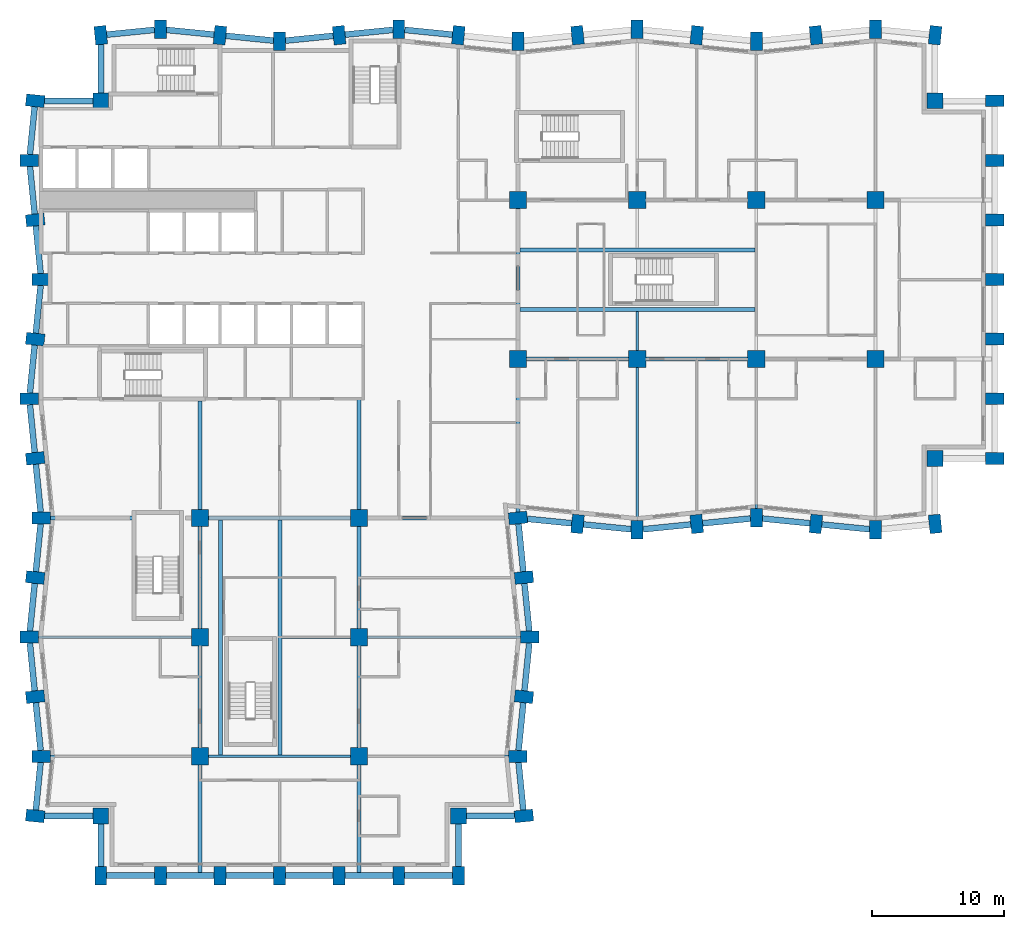
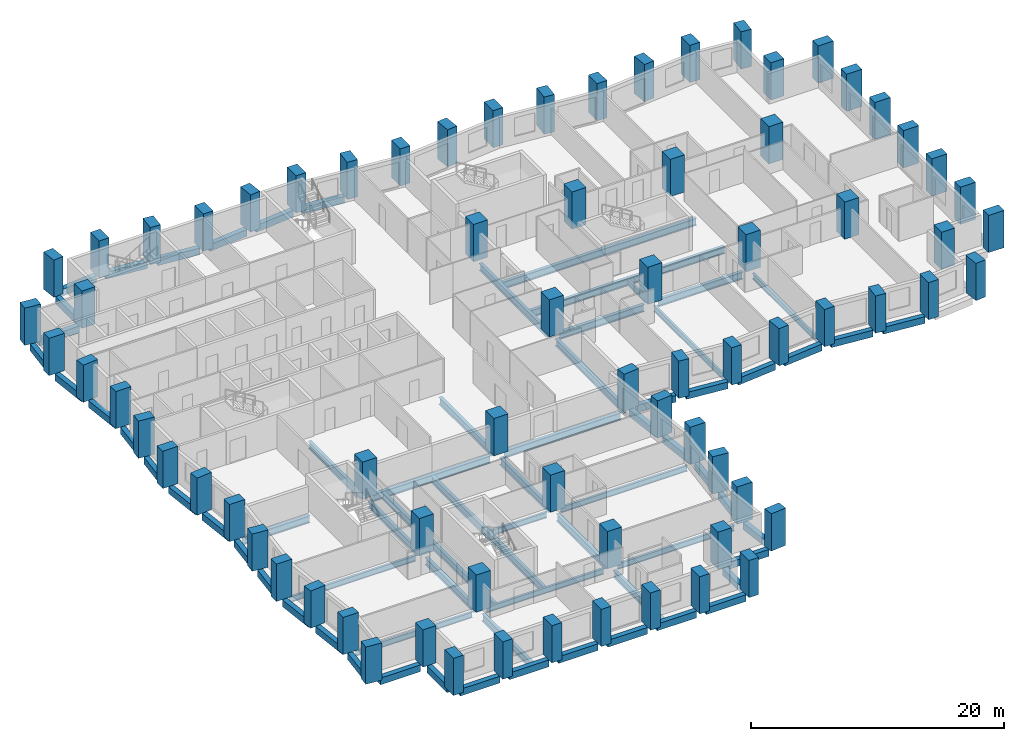
# One storey, part 1 of 13: 74 columns, 69 beams.
"""IFC4 building model written with IfcOpenShell, lengths in metres."""

from ifc_helpers import new_model, si_unit, direction, frame, origin, origin_2d, place, context, subcontext, project, spatial, rectangle, i_section, extrude, material, material_profile, profile_set, type_object, element, save


model = new_model("IFC4")

# Units and contexts
model_context = context("Model", 3, precision=1e-05, world=origin(), true_north=direction((0.0, 1.0)))
body_context = subcontext(model_context, "Body", "Model", "MODEL_VIEW")
ifc_project = project(units=[si_unit("LENGTHUNIT", "METRE"), si_unit("AREAUNIT", "SQUARE_METRE"), si_unit("VOLUMEUNIT", "CUBIC_METRE"), si_unit("PLANEANGLEUNIT", "RADIAN"), si_unit("MASSUNIT", "GRAM", prefix="KILO")], contexts=[model_context])

# Site, building, storey
site_placement = place(None, origin())
site = spatial("IfcSite", under=ifc_project, at=site_placement, CompositionType="ELEMENT")
building_placement = place(site_placement, origin())
building = spatial("IfcBuilding", under=site, at=building_placement, Name="Brondeck Convention Tower", CompositionType="ELEMENT")
storey_placement = place(building_placement, frame((0.0, 0.0, 48.300048828125)))
storey = spatial("IfcBuildingStorey", under=building, at=storey_placement, Name="L09", CompositionType="ELEMENT", Elevation=48.300048828125)

# Columns
ifc_material_1 = material(Name="Concrete C80/95", Category="concrete")
ifc_material_profile_1 = material_profile(ifc_material_1, rectangle(XDim=1.199951171875, YDim=1.199951171875, at=origin_2d()), Name="Corner column 1200x1200 Concrete C80/95")
ifc_profile_set_1 = profile_set([ifc_material_profile_1], Name="Concrete C80/95")
column_type_1 = type_object("IfcColumnType", Name="Corner column 1200x1200 Concrete C80/95", PredefinedType="COLUMN", material=ifc_profile_set_1)
for number, where, z_axis, x_axis, name in (
    (1, (4.5, 4.5, 0.0), (0.0, 0.0, 1.0), (1.0, 0.0, 0.0), "STR-COL-L09-NC-SWB0"),
    (2, (31.5, 4.5, 0.0), (0.0, 0.0, 1.0), (1.0, 0.0, 0.0), "STR-COL-L09-NC-SEB0"),
    (3, (67.5, 31.5, 0.0), (0.0, 0.0, 1.0), (1.0, 0.0, 0.0), "STR-COL-L09-NC-SEA72"),
    (4, (67.5, 58.5, 0.0), (0.0, 0.0, 1.0), (1.0, 0.0, 0.0), "STR-COL-L09-NC-NEA72"),
    (5, (4.5, 58.5, 0.0), (0.0, 0.0, 1.0), (1.0, 0.0, 0.0), "STR-COL-L09-NC-NW"),
):
    element("IfcColumn", number, at=place(storey_placement, frame(where, z_axis=z_axis, x_axis=x_axis)), inside=storey, type_object=column_type_1, Name=name, PredefinedType="COLUMN", context=body_context, shape_type="SweptSolid", body=[
        extrude(rectangle(XDim=1.199951171875, YDim=1.199951171875, at=origin_2d()), origin(), (0.0, 0.0, 1.0), 3.599853515625),
    ])
ifc_material_profile_2 = material_profile(ifc_material_1, rectangle(XDim=1.300048828125, YDim=1.300048828125, at=origin_2d()), Name="Interior column 1300x1300 Concrete C80/95")
ifc_profile_set_2 = profile_set([ifc_material_profile_2], Name="Concrete C80/95")
column_type_2 = type_object("IfcColumnType", Name="Interior column 1300x1300 Concrete C80/95", PredefinedType="COLUMN", material=ifc_profile_set_2)
for number, where, z_axis, x_axis, name in (
    (6, (12.0, 9.0, 0.0), (0.0, 0.0, 1.0), (1.0, 0.0, 0.0), "STR-COL-L09-IC-01"),
    (7, (12.0, 18.0, 0.0), (0.0, 0.0, 1.0), (1.0, 0.0, 0.0), "STR-COL-L09-IC-02"),
    (8, (12.0, 27.0, 0.0), (0.0, 0.0, 1.0), (1.0, 0.0, 0.0), "STR-COL-L09-IC-03"),
    (9, (24.0, 9.0, 0.0), (0.0, 0.0, 1.0), (1.0, 0.0, 0.0), "STR-COL-L09-IC-04"),
    (10, (24.0, 18.0, 0.0), (0.0, 0.0, 1.0), (1.0, 0.0, 0.0), "STR-COL-L09-IC-05"),
    (11, (24.0, 27.0, 0.0), (0.0, 0.0, 1.0), (1.0, 0.0, 0.0), "STR-COL-L09-IC-06"),
    (12, (36.0, 39.0, 0.0), (0.0, 0.0, 1.0), (1.0, 0.0, 0.0), "STR-COL-L09-IC-07"),
    (13, (36.0, 51.0, 0.0), (0.0, 0.0, 1.0), (1.0, 0.0, 0.0), "STR-COL-L09-IC-08"),
    (14, (45.0, 39.0, 0.0), (0.0, 0.0, 1.0), (1.0, 0.0, 0.0), "STR-COL-L09-IC-09"),
    (15, (45.0, 51.0, 0.0), (0.0, 0.0, 1.0), (1.0, 0.0, 0.0), "STR-COL-L09-IC-10"),
    (16, (54.0, 39.0, 0.0), (0.0, 0.0, 1.0), (1.0, 0.0, 0.0), "STR-COL-L09-IC-11"),
    (17, (54.0, 51.0, 0.0), (0.0, 0.0, 1.0), (1.0, 0.0, 0.0), "STR-COL-L09-IC-12"),
    (18, (63.0, 39.0, 0.0), (0.0, 0.0, 1.0), (1.0, 0.0, 0.0), "STR-COL-L09-IC-13"),
    (19, (63.0, 51.0, 0.0), (0.0, 0.0, 1.0), (1.0, 0.0, 0.0), "STR-COL-L09-IC-14"),
):
    element("IfcColumn", number, at=place(storey_placement, frame(where, z_axis=z_axis, x_axis=x_axis)), inside=storey, type_object=column_type_2, Name=name, PredefinedType="COLUMN", context=body_context, shape_type="SweptSolid", body=[
        extrude(rectangle(XDim=1.300048828125, YDim=1.300048828125, at=origin_2d()), origin(), (0.0, 0.0, 1.0), 3.599853515625),
    ])
ifc_material_profile_3 = material_profile(ifc_material_1, rectangle(XDim=0.89990234375, YDim=1.39990234375, at=origin_2d()), Name="Perimeter pier 900x1400 Concrete C80/95")
ifc_profile_set_3 = profile_set([ifc_material_profile_3], Name="Concrete C80/95")
column_type_3 = type_object("IfcColumnType", Name="Perimeter pier 900x1400 Concrete C80/95", PredefinedType="COLUMN", material=ifc_profile_set_3)
for number, where, z_axis, x_axis, name in (
    (20, (4.5, 0.0, 0.0), (0.0, 0.0, 1.0), (1.0, 0.0, 0.0), "STR-COL-L09-PC-B-S0-01"),
    (21, (9.0, 0.0, 0.0), (0.0, 0.0, 1.0), (1.0, 0.0, 0.0), "STR-COL-L09-PC-B-S0-02"),
    (22, (13.5, 0.0, 0.0), (0.0, 0.0, 1.0), (1.0, 0.0, 0.0), "STR-COL-L09-PC-B-S0-03"),
    (23, (18.0, 0.0, 0.0), (0.0, 0.0, 1.0), (1.0, 0.0, 0.0), "STR-COL-L09-PC-B-S0-04"),
    (24, (22.5, 0.0, 0.0), (0.0, 0.0, 1.0), (1.0, 0.0, 0.0), "STR-COL-L09-PC-B-S0-05"),
    (25, (27.0, 0.0, 0.0), (0.0, 0.0, 1.0), (1.0, 0.0, 0.0), "STR-COL-L09-PC-B-S0-06"),
    (26, (31.5, 0.0, 0.0), (0.0, 0.0, 1.0), (1.0, 0.0, 0.0), "STR-COL-L09-PC-B-S0-07"),
    (27, (36.449951171875, 4.5, 0.0), (0.0, 0.0, 1.0), (-0.0995038382, 0.995037178292, 0.0), "STR-COL-L09-PC-B-E-05"),
    (28, (36.0, 9.0, 0.0), (0.0, 0.0, 1.0), (0.0, 1.0, 0.0), "STR-COL-L09-PC-B-E-04"),
    (29, (36.449951171875, 13.5, 0.0), (0.0, 0.0, 1.0), (0.0995038382, 0.995037178292, 0.0), "STR-COL-L09-PC-B-E-03"),
    (30, (36.89990234375, 18.0, 0.0), (0.0, 0.0, 1.0), (0.0, 1.0, 0.0), "STR-COL-L09-PC-B-E-02"),
    (31, (36.449951171875, 22.5, 0.0), (0.0, 0.0, 1.0), (-0.0995038382, 0.995037178292, 0.0), "STR-COL-L09-PC-B-E-01"),
    (32, (36.0, 27.0, 0.0), (0.0, 0.0, 1.0), (-0.0995038382, 0.995037178292, 0.0), "STR-COL-L09-PC-B-E-00"),
    (33, (40.5, 26.550048828125, 0.0), (0.0, 0.0, 1.0), (0.995037178292, -0.0995038382, 0.0), "STR-COL-L09-PC-A-S-01"),
    (34, (45.0, 26.10009765625, 0.0), (0.0, 0.0, 1.0), (1.0, 0.0, 0.0), "STR-COL-L09-PC-A-S-02"),
    (35, (49.5, 26.550048828125, 0.0), (0.0, 0.0, 1.0), (0.995037178292, 0.0995038382, 0.0), "STR-COL-L09-PC-A-S-03"),
    (36, (54.0, 27.0, 0.0), (0.0, 0.0, 1.0), (1.0, 0.0, 0.0), "STR-COL-L09-PC-A-S-04"),
    (37, (58.5, 26.550048828125, 0.0), (0.0, 0.0, 1.0), (0.995037178292, -0.0995038382, 0.0), "STR-COL-L09-PC-A-S-05"),
    (38, (63.0, 26.10009765625, 0.0), (0.0, 0.0, 1.0), (1.0, 0.0, 0.0), "STR-COL-L09-PC-A-S-06"),
    (39, (67.5, 26.550048828125, 0.0), (0.0, 0.0, 1.0), (0.995037178292, 0.0995038382, 0.0), "STR-COL-L09-PC-A-S-07"),
    (40, (72.0, 31.5, 0.0), (0.0, 0.0, 1.0), (0.0, 1.0, 0.0), "STR-COL-L09-PC-A-E72-01"),
    (41, (72.0, 36.0, 0.0), (0.0, 0.0, 1.0), (0.0, 1.0, 0.0), "STR-COL-L09-PC-A-E72-02"),
    (42, (72.0, 40.5, 0.0), (0.0, 0.0, 1.0), (0.0, 1.0, 0.0), "STR-COL-L09-PC-A-E72-03"),
    (43, (72.0, 45.0, 0.0), (0.0, 0.0, 1.0), (0.0, 1.0, 0.0), "STR-COL-L09-PC-A-E72-04"),
    (44, (72.0, 49.5, 0.0), (0.0, 0.0, 1.0), (0.0, 1.0, 0.0), "STR-COL-L09-PC-A-E72-05"),
    (45, (72.0, 54.0, 0.0), (0.0, 0.0, 1.0), (0.0, 1.0, 0.0), "STR-COL-L09-PC-A-E72-06"),
    (46, (72.0, 58.5, 0.0), (0.0, 0.0, 1.0), (0.0, 1.0, 0.0), "STR-COL-L09-PC-A-E72-07"),
    (47, (67.5, 63.449951171875, 0.0), (0.0, 0.0, 1.0), (-0.995037178292, 0.0995038382, 0.0), "STR-COL-L09-PC-A-N-15"),
    (48, (63.0, 63.89990234375, 0.0), (0.0, 0.0, 1.0), (-1.0, 0.0, 0.0), "STR-COL-L09-PC-A-N-14"),
    (49, (58.5, 63.449951171875, 0.0), (0.0, 0.0, 1.0), (-0.995037178292, -0.0995038382, 0.0), "STR-COL-L09-PC-A-N-13"),
    (50, (54.0, 63.0, 0.0), (0.0, 0.0, 1.0), (-1.0, 0.0, 0.0), "STR-COL-L09-PC-A-N-12"),
    (51, (49.5, 63.449951171875, 0.0), (0.0, 0.0, 1.0), (-0.995037178292, 0.0995038382, 0.0), "STR-COL-L09-PC-A-N-11"),
    (52, (45.0, 63.89990234375, 0.0), (0.0, 0.0, 1.0), (-1.0, 0.0, 0.0), "STR-COL-L09-PC-A-N-10"),
    (53, (40.5, 63.449951171875, 0.0), (0.0, 0.0, 1.0), (-0.995037178292, -0.0995038382, 0.0), "STR-COL-L09-PC-A-N-09"),
    (54, (36.0, 63.0, 0.0), (0.0, 0.0, 1.0), (-1.0, 0.0, 0.0), "STR-COL-L09-PC-A-N-08"),
    (55, (31.5, 63.449951171875, 0.0), (0.0, 0.0, 1.0), (-0.995037178292, 0.0995038382, 0.0), "STR-COL-L09-PC-A-N-07"),
    (56, (27.0, 63.89990234375, 0.0), (0.0, 0.0, 1.0), (-1.0, 0.0, 0.0), "STR-COL-L09-PC-A-N-06"),
    (57, (22.5, 63.449951171875, 0.0), (0.0, 0.0, 1.0), (-0.995037178292, -0.0995038382, 0.0), "STR-COL-L09-PC-A-N-05"),
    (58, (18.0, 63.0, 0.0), (0.0, 0.0, 1.0), (-1.0, 0.0, 0.0), "STR-COL-L09-PC-A-N-04"),
    (59, (13.5, 63.449951171875, 0.0), (0.0, 0.0, 1.0), (-0.995037178292, 0.0995038382, 0.0), "STR-COL-L09-PC-A-N-03"),
    (60, (9.0, 63.89990234375, 0.0), (0.0, 0.0, 1.0), (-1.0, 0.0, 0.0), "STR-COL-L09-PC-A-N-02"),
    (61, (4.5, 63.449951171875, 0.0), (0.0, 0.0, 1.0), (-0.995037178292, -0.0995038382, 0.0), "STR-COL-L09-PC-A-N-01"),
    (62, (-0.449951171875, 58.5, 0.0), (0.0, 0.0, 1.0), (-0.0995038382, -0.995037178292, 0.0), "STR-COL-L09-PC-B-W-01"),
    (63, (-0.89990234375, 54.0, 0.0), (0.0, 0.0, 1.0), (0.0, -1.0, 0.0), "STR-COL-L09-PC-B-W-02"),
    (64, (-0.449951171875, 49.5, 0.0), (0.0, 0.0, 1.0), (0.0995038382, -0.995037178292, 0.0), "STR-COL-L09-PC-B-W-03"),
    (65, (0.0, 45.0, 0.0), (0.0, 0.0, 1.0), (0.0, -1.0, 0.0), "STR-COL-L09-PC-B-W-04"),
    (66, (-0.449951171875, 40.5, 0.0), (0.0, 0.0, 1.0), (-0.0995038382, -0.995037178292, 0.0), "STR-COL-L09-PC-B-W-05"),
    (67, (-0.89990234375, 36.0, 0.0), (0.0, 0.0, 1.0), (0.0, -1.0, 0.0), "STR-COL-L09-PC-B-W-06"),
    (68, (-0.449951171875, 31.5, 0.0), (0.0, 0.0, 1.0), (0.0995038382, -0.995037178292, 0.0), "STR-COL-L09-PC-B-W-07"),
    (69, (0.0, 27.0, 0.0), (0.0, 0.0, 1.0), (0.0, -1.0, 0.0), "STR-COL-L09-PC-B-W-08"),
    (70, (-0.449951171875, 22.5, 0.0), (0.0, 0.0, 1.0), (-0.0995038382, -0.995037178292, 0.0), "STR-COL-L09-PC-B-W-09"),
    (71, (-0.89990234375, 18.0, 0.0), (0.0, 0.0, 1.0), (0.0, -1.0, 0.0), "STR-COL-L09-PC-B-W-10"),
    (72, (-0.449951171875, 13.5, 0.0), (0.0, 0.0, 1.0), (0.0995038382, -0.995037178292, 0.0), "STR-COL-L09-PC-B-W-11"),
    (73, (0.0, 9.0, 0.0), (0.0, 0.0, 1.0), (0.0, -1.0, 0.0), "STR-COL-L09-PC-B-W-12"),
    (74, (-0.449951171875, 4.5, 0.0), (0.0, 0.0, 1.0), (-0.0995038382, -0.995037178292, 0.0), "STR-COL-L09-PC-B-W-13"),
):
    element("IfcColumn", number, at=place(storey_placement, frame(where, z_axis=z_axis, x_axis=x_axis)), inside=storey, type_object=column_type_3, Name=name, PredefinedType="COLUMN", context=body_context, shape_type="SweptSolid", body=[
        extrude(rectangle(XDim=0.89990234375, YDim=1.39990234375, at=origin_2d()), origin(), (0.0, 0.0, 1.0), 3.599853515625),
    ])

# Beams
ifc_material_2 = material(Name="Steel S355", Category="steel")
ifc_material_profile_4 = material_profile(ifc_material_2, i_section(OverallWidth=0.2099609375, OverallDepth=0.550048828125, WebThickness=0.010986328125, FlangeThickness=0.01708984375, FilletRadius=0.02392578125, at=origin_2d()), Name="IPE 550")
ifc_profile_set_4 = profile_set([ifc_material_profile_4], Name="Steel S355")
beam_type_1 = type_object("IfcBeamType", Name="Floor beam IPE 550", PredefinedType="BEAM", material=ifc_profile_set_4)
beam_1_placement = place(storey_placement, frame((45.0, 26.800048828125, -0.574951171875), z_axis=(0.0, 1.0, 0.0), x_axis=(-1.0, 0.0, 0.0)))
element("IfcBeam", 75, at=beam_1_placement, inside=storey, type_object=beam_type_1, Name="STR-FB-L09-001", PredefinedType="BEAM", context=body_context, shape_type="SweptSolid", body=[
    extrude(i_section(OverallWidth=0.2099609375, OverallDepth=0.550048828125, WebThickness=0.010986328125, FlangeThickness=0.01708984375, FilletRadius=0.02392578125, at=origin_2d()), origin(), (0.0, 0.0, 1.0), 11.550048828125),
])
for number, where, z_axis, x_axis, name in (
    (76, (54.0, 27.699951171875, -0.574951171875), (0.0, 1.0, 0.0), (-1.0, 0.0, 0.0), "STR-FB-L09-003"),
    (77, (0.699951171875, 9.0, -0.574951171875), (1.0, 0.0, 0.0), (0.0, 1.0, 0.0), "STR-FB-L09-009"),
):
    element("IfcBeam", number, at=place(storey_placement, frame(where, z_axis=z_axis, x_axis=x_axis)), inside=storey, type_object=beam_type_1, Name=name, PredefinedType="BEAM", context=body_context, shape_type="SweptSolid", body=[
        extrude(i_section(OverallWidth=0.2099609375, OverallDepth=0.550048828125, WebThickness=0.010986328125, FlangeThickness=0.01708984375, FilletRadius=0.02392578125, at=origin_2d()), origin(), (0.0, 0.0, 1.0), 10.650146484375),
    ])
beam_2_placement = place(storey_placement, frame((12.64990234375, 9.0, -0.574951171875), z_axis=(1.0, 0.0, 0.0), x_axis=(0.0, 1.0, 0.0)))
element("IfcBeam", 78, at=beam_2_placement, inside=storey, type_object=beam_type_1, Name="STR-FB-L09-010", PredefinedType="BEAM", context=body_context, shape_type="SweptSolid", body=[
    extrude(i_section(OverallWidth=0.2099609375, OverallDepth=0.550048828125, WebThickness=0.010986328125, FlangeThickness=0.01708984375, FilletRadius=0.02392578125, at=origin_2d()), origin(), (0.0, 0.0, 1.0), 10.7001953125),
])
beam_3_placement = place(storey_placement, frame((24.64990234375, 9.0, -0.574951171875), z_axis=(1.0, 0.0, 0.0), x_axis=(0.0, 1.0, 0.0)))
element("IfcBeam", 79, at=beam_3_placement, inside=storey, type_object=beam_type_1, Name="STR-FB-L09-011", PredefinedType="BEAM", context=body_context, shape_type="SweptSolid", body=[
    extrude(i_section(OverallWidth=0.2099609375, OverallDepth=0.550048828125, WebThickness=0.010986328125, FlangeThickness=0.01708984375, FilletRadius=0.02392578125, at=origin_2d()), origin(), (0.0, 0.0, 1.0), 10.650146484375),
])
for number, where, z_axis, x_axis, name in (
    (80, (-0.199951171875, 18.0, -0.574951171875), (1.0, 0.0, 0.0), (0.0, 1.0, 0.0), "STR-FB-L09-012"),
    (81, (24.64990234375, 18.0, -0.574951171875), (1.0, 0.0, 0.0), (0.0, 1.0, 0.0), "STR-FB-L09-013"),
):
    element("IfcBeam", number, at=place(storey_placement, frame(where, z_axis=z_axis, x_axis=x_axis)), inside=storey, type_object=beam_type_1, Name=name, PredefinedType="BEAM", context=body_context, shape_type="SweptSolid", body=[
        extrude(i_section(OverallWidth=0.2099609375, OverallDepth=0.550048828125, WebThickness=0.010986328125, FlangeThickness=0.01708984375, FilletRadius=0.02392578125, at=origin_2d()), origin(), (0.0, 0.0, 1.0), 11.550048828125),
    ])
beam_4_placement = place(storey_placement, frame((45.0, 39.64990234375, -0.574951171875), z_axis=(0.0, 1.0, 0.0), x_axis=(-1.0, 0.0, 0.0)))
element("IfcBeam", 82, at=beam_4_placement, inside=storey, type_object=beam_type_1, Name="STR-FB-L09-014", PredefinedType="BEAM", context=body_context, shape_type="SweptSolid", body=[
    extrude(i_section(OverallWidth=0.2099609375, OverallDepth=0.550048828125, WebThickness=0.010986328125, FlangeThickness=0.01708984375, FilletRadius=0.02392578125, at=origin_2d()), origin(), (0.0, 0.0, 1.0), 2.9501953125),
])
beam_5_placement = place(storey_placement, frame((18.199951171875, 18.0, -0.574951171875), z_axis=(1.0, 0.0, 0.0), x_axis=(0.0, 1.0, 0.0)))
element("IfcBeam", 83, at=beam_5_placement, inside=storey, type_object=beam_type_1, Name="STR-FB-L09-016", PredefinedType="BEAM", context=body_context, shape_type="SweptSolid", body=[
    extrude(i_section(OverallWidth=0.2099609375, OverallDepth=0.550048828125, WebThickness=0.010986328125, FlangeThickness=0.01708984375, FilletRadius=0.02392578125, at=origin_2d()), origin(), (0.0, 0.0, 1.0), 5.150146484375),
])
ifc_material_profile_5 = material_profile(ifc_material_2, i_section(OverallWidth=0.300048828125, OverallDepth=0.699951171875, WebThickness=0.01708984375, FlangeThickness=0.031982421875, FilletRadius=0.027099609375, at=origin_2d()), Name="HEB 700")
ifc_profile_set_5 = profile_set([ifc_material_profile_5], Name="Steel S355")
beam_type_2 = type_object("IfcBeamType", Name="Girder HEB 700", PredefinedType="BEAM", material=ifc_profile_set_5)
for number, where, z_axis, x_axis, name in (
    (84, (36.64990234375, 39.0, -0.650146484375), (1.0, 0.0, 0.0), (0.0, 1.0, 0.0), "STR-GR-L09-001"),
    (85, (45.64990234375, 39.0, -0.650146484375), (1.0, 0.0, 0.0), (0.0, 1.0, 0.0), "STR-GR-L09-002"),
):
    element("IfcBeam", number, at=place(storey_placement, frame(where, z_axis=z_axis, x_axis=x_axis)), inside=storey, type_object=beam_type_2, Name=name, PredefinedType="BEAM", context=body_context, shape_type="SweptSolid", body=[
        extrude(i_section(OverallWidth=0.300048828125, OverallDepth=0.699951171875, WebThickness=0.01708984375, FlangeThickness=0.031982421875, FilletRadius=0.027099609375, at=origin_2d()), origin(), (0.0, 0.0, 1.0), 7.7001953125),
    ])
beam_6_placement = place(storey_placement, frame((36.0, 27.4521484375, -0.650146484375), z_axis=(0.0, 1.0, 0.0), x_axis=(-1.0, 0.0, 0.0)))
element("IfcBeam", 86, at=beam_6_placement, inside=storey, type_object=beam_type_2, Name="STR-GR-L09-009", PredefinedType="BEAM", context=body_context, shape_type="SweptSolid", body=[
    extrude(i_section(OverallWidth=0.300048828125, OverallDepth=0.699951171875, WebThickness=0.01708984375, FlangeThickness=0.031982421875, FilletRadius=0.027099609375, at=origin_2d()), origin(), (0.0, 0.0, 1.0), 10.89794921875),
])
beam_7_placement = place(storey_placement, frame((36.0, 39.64990234375, -0.650146484375), z_axis=(0.0, 1.0, 0.0), x_axis=(-1.0, 0.0, 0.0)))
element("IfcBeam", 87, at=beam_7_placement, inside=storey, type_object=beam_type_2, Name="STR-GR-L09-010", PredefinedType="BEAM", context=body_context, shape_type="SweptSolid", body=[
    extrude(i_section(OverallWidth=0.300048828125, OverallDepth=0.699951171875, WebThickness=0.01708984375, FlangeThickness=0.031982421875, FilletRadius=0.027099609375, at=origin_2d()), origin(), (0.0, 0.0, 1.0), 10.7001953125),
])
beam_8_placement = place(storey_placement, frame((12.0, 35.85009765625, -0.650146484375), z_axis=(0.0, -1.0, 0.0), x_axis=(1.0, 0.0, 0.0)))
element("IfcBeam", 88, at=beam_8_placement, inside=storey, type_object=beam_type_2, Name="STR-GR-L09-013", PredefinedType="BEAM", context=body_context, shape_type="SweptSolid", body=[
    extrude(i_section(OverallWidth=0.300048828125, OverallDepth=0.699951171875, WebThickness=0.01708984375, FlangeThickness=0.031982421875, FilletRadius=0.027099609375, at=origin_2d()), origin(), (0.0, 0.0, 1.0), 8.2001953125),
])
for number, where, z_axis, x_axis, name in (
    (89, (12.0, 26.35009765625, -0.650146484375), (0.0, -1.0, 0.0), (1.0, 0.0, 0.0), "STR-GR-L09-014"),
    (90, (12.0, 17.35009765625, -0.650146484375), (0.0, -1.0, 0.0), (1.0, 0.0, 0.0), "STR-GR-L09-015"),
):
    element("IfcBeam", number, at=place(storey_placement, frame(where, z_axis=z_axis, x_axis=x_axis)), inside=storey, type_object=beam_type_2, Name=name, PredefinedType="BEAM", context=body_context, shape_type="SweptSolid", body=[
        extrude(i_section(OverallWidth=0.300048828125, OverallDepth=0.699951171875, WebThickness=0.01708984375, FlangeThickness=0.031982421875, FilletRadius=0.027099609375, at=origin_2d()), origin(), (0.0, 0.0, 1.0), 7.7001953125),
    ])
beam_9_placement = place(storey_placement, frame((12.0, 8.35009765625, -0.650146484375), z_axis=(0.0, -1.0, 0.0), x_axis=(1.0, 0.0, 0.0)))
element("IfcBeam", 91, at=beam_9_placement, inside=storey, type_object=beam_type_2, Name="STR-GR-L09-016", PredefinedType="BEAM", context=body_context, shape_type="SweptSolid", body=[
    extrude(i_section(OverallWidth=0.300048828125, OverallDepth=0.699951171875, WebThickness=0.01708984375, FlangeThickness=0.031982421875, FilletRadius=0.027099609375, at=origin_2d()), origin(), (0.0, 0.0, 1.0), 8.125),
])
beam_10_placement = place(storey_placement, frame((24.0, 35.955078125, -0.650146484375), z_axis=(0.0, -1.0, 0.0), x_axis=(1.0, 0.0, 0.0)))
element("IfcBeam", 92, at=beam_10_placement, inside=storey, type_object=beam_type_2, Name="STR-GR-L09-017", PredefinedType="BEAM", context=body_context, shape_type="SweptSolid", body=[
    extrude(i_section(OverallWidth=0.300048828125, OverallDepth=0.699951171875, WebThickness=0.01708984375, FlangeThickness=0.031982421875, FilletRadius=0.027099609375, at=origin_2d()), origin(), (0.0, 0.0, 1.0), 8.30517578125),
])
for number, where, z_axis, x_axis, name in (
    (93, (24.0, 26.35009765625, -0.650146484375), (0.0, -1.0, 0.0), (1.0, 0.0, 0.0), "STR-GR-L09-018"),
    (94, (24.0, 17.35009765625, -0.650146484375), (0.0, -1.0, 0.0), (1.0, 0.0, 0.0), "STR-GR-L09-019"),
):
    element("IfcBeam", number, at=place(storey_placement, frame(where, z_axis=z_axis, x_axis=x_axis)), inside=storey, type_object=beam_type_2, Name=name, PredefinedType="BEAM", context=body_context, shape_type="SweptSolid", body=[
        extrude(i_section(OverallWidth=0.300048828125, OverallDepth=0.699951171875, WebThickness=0.01708984375, FlangeThickness=0.031982421875, FilletRadius=0.027099609375, at=origin_2d()), origin(), (0.0, 0.0, 1.0), 7.7001953125),
    ])
beam_11_placement = place(storey_placement, frame((24.0, 8.35009765625, -0.650146484375), z_axis=(0.0, -1.0, 0.0), x_axis=(1.0, 0.0, 0.0)))
element("IfcBeam", 95, at=beam_11_placement, inside=storey, type_object=beam_type_2, Name="STR-GR-L09-020", PredefinedType="BEAM", context=body_context, shape_type="SweptSolid", body=[
    extrude(i_section(OverallWidth=0.300048828125, OverallDepth=0.699951171875, WebThickness=0.01708984375, FlangeThickness=0.031982421875, FilletRadius=0.027099609375, at=origin_2d()), origin(), (0.0, 0.0, 1.0), 8.125),
])
beam_12_placement = place(storey_placement, frame((0.699951171875, 27.0, -0.650146484375), z_axis=(1.0, 0.0, 0.0), x_axis=(0.0, 1.0, 0.0)))
element("IfcBeam", 96, at=beam_12_placement, inside=storey, type_object=beam_type_2, Name="STR-GR-L09-021", PredefinedType="BEAM", context=body_context, shape_type="SweptSolid", body=[
    extrude(i_section(OverallWidth=0.300048828125, OverallDepth=0.699951171875, WebThickness=0.01708984375, FlangeThickness=0.031982421875, FilletRadius=0.027099609375, at=origin_2d()), origin(), (0.0, 0.0, 1.0), 6.179931640625),
])
beam_13_placement = place(storey_placement, frame((12.64990234375, 27.0, -0.650146484375), z_axis=(1.0, 0.0, 0.0), x_axis=(0.0, 1.0, 0.0)))
element("IfcBeam", 97, at=beam_13_placement, inside=storey, type_object=beam_type_2, Name="STR-GR-L09-022", PredefinedType="BEAM", context=body_context, shape_type="SweptSolid", body=[
    extrude(i_section(OverallWidth=0.300048828125, OverallDepth=0.699951171875, WebThickness=0.01708984375, FlangeThickness=0.031982421875, FilletRadius=0.027099609375, at=origin_2d()), origin(), (0.0, 0.0, 1.0), 10.7001953125),
])
beam_14_placement = place(storey_placement, frame((24.64990234375, 27.0, -0.650146484375), z_axis=(1.0, 0.0, 0.0), x_axis=(0.0, 1.0, 0.0)))
element("IfcBeam", 98, at=beam_14_placement, inside=storey, type_object=beam_type_2, Name="STR-GR-L09-023", PredefinedType="BEAM", context=body_context, shape_type="SweptSolid", body=[
    extrude(i_section(OverallWidth=0.300048828125, OverallDepth=0.699951171875, WebThickness=0.01708984375, FlangeThickness=0.031982421875, FilletRadius=0.027099609375, at=origin_2d()), origin(), (0.0, 0.0, 1.0), 10.646484375),
])
for number, where, z_axis, x_axis, name in (
    (99, (36.14990234375, 42.75, -0.650146484375), (1.0, 0.0, 0.0), (0.0, 1.0, 0.0), "STR-GR-L09-024"),
    (100, (36.14990234375, 47.25, -0.650146484375), (1.0, 0.0, 0.0), (0.0, 1.0, 0.0), "STR-GR-L09-025"),
    (101, (13.550048828125, 9.10498046875, -0.650146484375), (0.0, 1.0, 0.0), (-1.0, 0.0, 0.0), "STR-GR-L09-026"),
    (102, (18.050048828125, 9.10498046875, -0.650146484375), (0.0, 1.0, 0.0), (-1.0, 0.0, 0.0), "STR-GR-L09-027"),
):
    element("IfcBeam", number, at=place(storey_placement, frame(where, z_axis=z_axis, x_axis=x_axis)), inside=storey, type_object=beam_type_2, Name=name, PredefinedType="BEAM", context=body_context, shape_type="SweptSolid", body=[
        extrude(i_section(OverallWidth=0.300048828125, OverallDepth=0.699951171875, WebThickness=0.01708984375, FlangeThickness=0.031982421875, FilletRadius=0.027099609375, at=origin_2d()), origin(), (0.0, 0.0, 1.0), 17.7451171875),
    ])
ifc_material_profile_6 = material_profile(ifc_material_1, rectangle(XDim=0.449951171875, YDim=0.64990234375, at=origin_2d()), Name="Precast spandrel 450x650 Concrete C80/95")
ifc_profile_set_6 = profile_set([ifc_material_profile_6], Name="Concrete C80/95")
beam_type_3 = type_object("IfcBeamType", Name="Precast spandrel 450x650 Concrete C80/95", PredefinedType="SPANDREL", material=ifc_profile_set_6)
for number, where, z_axis, x_axis, name in (
    (103, (4.949951171875, 0.0, -0.324951171875), (1.0, 0.0, 0.0), (0.0, 1.0, 0.0), "STR-SP-L09-001"),
    (104, (9.449951171875, 0.0, -0.324951171875), (1.0, 0.0, 0.0), (0.0, 1.0, 0.0), "STR-SP-L09-002"),
    (105, (13.949951171875, 0.0, -0.324951171875), (1.0, 0.0, 0.0), (0.0, 1.0, 0.0), "STR-SP-L09-003"),
    (106, (18.449951171875, 0.0, -0.324951171875), (1.0, 0.0, 0.0), (0.0, 1.0, 0.0), "STR-SP-L09-004"),
    (107, (22.949951171875, 0.0, -0.324951171875), (1.0, 0.0, 0.0), (0.0, 1.0, 0.0), "STR-SP-L09-005"),
    (108, (27.449951171875, 0.0, -0.324951171875), (1.0, 0.0, 0.0), (0.0, 1.0, 0.0), "STR-SP-L09-006"),
):
    element("IfcBeam", number, at=place(storey_placement, frame(where, z_axis=z_axis, x_axis=x_axis)), inside=storey, type_object=beam_type_3, Name=name, PredefinedType="SPANDREL", context=body_context, shape_type="SweptSolid", body=[
        extrude(rectangle(XDim=0.449951171875, YDim=0.64990234375, at=origin_2d()), origin(), (0.0, 0.0, 1.0), 3.60009765625),
    ])
beam_15_placement = place(storey_placement, frame((31.5, 0.699951171875, -0.324951171875), z_axis=(0.0, 1.0, 0.0), x_axis=(-1.0, 0.0, 0.0)))
element("IfcBeam", 109, at=beam_15_placement, inside=storey, type_object=beam_type_3, Name="STR-SP-L09-007", PredefinedType="SPANDREL", context=body_context, shape_type="SweptSolid", body=[
    extrude(rectangle(XDim=0.449951171875, YDim=0.64990234375, at=origin_2d()), origin(), (0.0, 0.0, 1.0), 3.199951171875),
])
beam_16_placement = place(storey_placement, frame((32.10009765625, 4.5, -0.324951171875), z_axis=(1.0, 0.0, 0.0), x_axis=(0.0, 1.0, 0.0)))
element("IfcBeam", 110, at=beam_16_placement, inside=storey, type_object=beam_type_3, Name="STR-SP-L09-008", PredefinedType="SPANDREL", context=body_context, shape_type="SweptSolid", body=[
    extrude(rectangle(XDim=0.449951171875, YDim=0.64990234375, at=origin_2d()), origin(), (0.0, 0.0, 1.0), 3.646484375),
])
for number, where, z_axis, x_axis, name in (
    (111, (36.4052734375, 4.94775390625, -0.324951171875), (-0.099537103649, 0.995033851182, 0.0), (-0.995033851182, -0.099537103649, 0.0), "STR-SP-L09-009"),
    (112, (36.044921875, 9.449951171875, -0.324951171875), (0.099537103649, 0.995033851182, 0.0), (-0.995033851182, 0.099537103649, 0.0), "STR-SP-L09-010"),
    (113, (36.494873046875, 13.94775390625, -0.324951171875), (0.099470334057, 0.995040528141, 0.0), (-0.995040528141, 0.099470334057, 0.0), "STR-SP-L09-011"),
    (114, (36.85498046875, 18.449951171875, -0.324951171875), (-0.099470334057, 0.995040528141, 0.0), (-0.995040528141, -0.099470334057, 0.0), "STR-SP-L09-012"),
):
    element("IfcBeam", number, at=place(storey_placement, frame(where, z_axis=z_axis, x_axis=x_axis)), inside=storey, type_object=beam_type_3, Name=name, PredefinedType="SPANDREL", context=body_context, shape_type="SweptSolid", body=[
        extrude(rectangle(XDim=0.449951171875, YDim=0.64990234375, at=origin_2d()), origin(), (0.0, 0.0, 1.0), 3.620361328125),
    ])
beam_17_placement = place(storey_placement, frame((36.4052734375, 22.94775390625, -0.324951171875), z_axis=(-0.099543756114, 0.995033185687, 0.0), x_axis=(-0.995033185687, -0.099543756114, 0.0)))
element("IfcBeam", 115, at=beam_17_placement, inside=storey, type_object=beam_type_3, Name="STR-SP-L09-013", PredefinedType="SPANDREL", context=body_context, shape_type="SweptSolid", body=[
    extrude(rectangle(XDim=0.449951171875, YDim=0.64990234375, at=origin_2d()), origin(), (0.0, 0.0, 1.0), 3.62255859375),
])
beam_18_placement = place(storey_placement, frame((36.710693359375, 26.928955078125, -0.324951171875), z_axis=(0.995035030591, -0.099525312843, 0.0), x_axis=(0.099525312843, 0.995035030591, 0.0)))
element("IfcBeam", 116, at=beam_18_placement, inside=storey, type_object=beam_type_3, Name="STR-SP-L09-014", PredefinedType="SPANDREL", context=body_context, shape_type="SweptSolid", body=[
    extrude(rectangle(XDim=0.449951171875, YDim=0.64990234375, at=origin_2d()), origin(), (0.0, 0.0, 1.0), 3.358154296875),
])
for number, where, z_axis, x_axis, name in (
    (117, (40.94775390625, 26.505126953125, -0.324951171875), (0.995040528141, -0.099470334057, 0.0), (0.099470334057, 0.995040528141, 0.0), "STR-SP-L09-015"),
    (118, (45.449951171875, 26.14501953125, -0.324951171875), (0.995040528141, 0.099470334057, 0.0), (-0.099470334057, 0.995040528141, 0.0), "STR-SP-L09-016"),
    (119, (49.94775390625, 26.5947265625, -0.324951171875), (0.995033851182, 0.099537103649, 0.0), (-0.099537103649, 0.995033851182, 0.0), "STR-SP-L09-017"),
    (120, (54.449951171875, 26.955078125, -0.324951171875), (0.995033851182, -0.099537103649, 0.0), (0.099537103649, 0.995033851182, 0.0), "STR-SP-L09-018"),
    (121, (58.94775390625, 26.505126953125, -0.324951171875), (0.995040528141, -0.099470334057, 0.0), (0.099470334057, 0.995040528141, 0.0), "STR-SP-L09-019"),
    (122, (31.05224609375, 63.494873046875, -0.324951171875), (-0.995040528141, 0.099470334057, 0.0), (-0.099470334057, -0.995040528141, 0.0), "STR-SP-L09-039"),
    (123, (26.550048828125, 63.85498046875, -0.324951171875), (-0.995040528141, -0.099470334057, 0.0), (0.099470334057, -0.995040528141, 0.0), "STR-SP-L09-040"),
    (124, (22.05224609375, 63.4052734375, -0.324951171875), (-0.995033851182, -0.099537103649, 0.0), (0.099537103649, -0.995033851182, 0.0), "STR-SP-L09-041"),
    (125, (17.550048828125, 63.044921875, -0.324951171875), (-0.995033851182, 0.099537103649, 0.0), (-0.099537103649, -0.995033851182, 0.0), "STR-SP-L09-042"),
    (126, (13.05224609375, 63.494873046875, -0.324951171875), (-0.995040528141, 0.099470334057, 0.0), (-0.099470334057, -0.995040528141, 0.0), "STR-SP-L09-043"),
    (127, (8.550048828125, 63.85498046875, -0.324951171875), (-0.995040528141, -0.099470334057, 0.0), (0.099470334057, -0.995040528141, 0.0), "STR-SP-L09-044"),
):
    element("IfcBeam", number, at=place(storey_placement, frame(where, z_axis=z_axis, x_axis=x_axis)), inside=storey, type_object=beam_type_3, Name=name, PredefinedType="SPANDREL", context=body_context, shape_type="SweptSolid", body=[
        extrude(rectangle(XDim=0.449951171875, YDim=0.64990234375, at=origin_2d()), origin(), (0.0, 0.0, 1.0), 3.620361328125),
    ])
for number, where, z_axis, x_axis, name in (
    (128, (4.5, 62.74658203125, -0.324951171875), (0.0, -1.0, 0.0), (1.0, 0.0, 0.0), "STR-SP-L09-045"),
    (129, (3.89990234375, 58.5, -0.324951171875), (-1.0, 0.0, 0.0), (0.0, -1.0, 0.0), "STR-SP-L09-046"),
):
    element("IfcBeam", number, at=place(storey_placement, frame(where, z_axis=z_axis, x_axis=x_axis)), inside=storey, type_object=beam_type_3, Name=name, PredefinedType="SPANDREL", context=body_context, shape_type="SweptSolid", body=[
        extrude(rectangle(XDim=0.449951171875, YDim=0.64990234375, at=origin_2d()), origin(), (0.0, 0.0, 1.0), 3.646484375),
    ])
for number, where, z_axis, x_axis, name in (
    (130, (-0.494873046875, 58.05224609375, -0.324951171875), (-0.099470334057, -0.995040528141, 0.0), (0.995040528141, -0.099470334057, 0.0), "STR-SP-L09-047"),
    (131, (-0.85498046875, 53.550048828125, -0.324951171875), (0.099470334057, -0.995040528141, 0.0), (0.995040528141, 0.099470334057, 0.0), "STR-SP-L09-048"),
    (132, (-0.4052734375, 49.05224609375, -0.324951171875), (0.099537103649, -0.995033851182, 0.0), (0.995033851182, 0.099537103649, 0.0), "STR-SP-L09-049"),
    (133, (-0.044921875, 44.550048828125, -0.324951171875), (-0.099537103649, -0.995033851182, 0.0), (0.995033851182, -0.099537103649, 0.0), "STR-SP-L09-050"),
    (134, (-0.494873046875, 40.05224609375, -0.324951171875), (-0.099470334057, -0.995040528141, 0.0), (0.995040528141, -0.099470334057, 0.0), "STR-SP-L09-051"),
    (135, (-0.85498046875, 35.550048828125, -0.324951171875), (0.099470334057, -0.995040528141, 0.0), (0.995040528141, 0.099470334057, 0.0), "STR-SP-L09-052"),
    (136, (-0.4052734375, 31.05224609375, -0.324951171875), (0.099537103649, -0.995033851182, 0.0), (0.995033851182, 0.099537103649, 0.0), "STR-SP-L09-053"),
    (137, (-0.044921875, 26.550048828125, -0.324951171875), (-0.099537103649, -0.995033851182, 0.0), (0.995033851182, -0.099537103649, 0.0), "STR-SP-L09-054"),
    (138, (-0.494873046875, 22.05224609375, -0.324951171875), (-0.099470334057, -0.995040528141, 0.0), (0.995040528141, -0.099470334057, 0.0), "STR-SP-L09-055"),
    (139, (-0.85498046875, 17.550048828125, -0.324951171875), (0.099470334057, -0.995040528141, 0.0), (0.995040528141, 0.099470334057, 0.0), "STR-SP-L09-056"),
    (140, (-0.4052734375, 13.05224609375, -0.324951171875), (0.099537103649, -0.995033851182, 0.0), (0.995033851182, 0.099537103649, 0.0), "STR-SP-L09-057"),
    (141, (-0.044921875, 8.550048828125, -0.324951171875), (-0.099537103649, -0.995033851182, 0.0), (0.995033851182, -0.099537103649, 0.0), "STR-SP-L09-058"),
):
    element("IfcBeam", number, at=place(storey_placement, frame(where, z_axis=z_axis, x_axis=x_axis)), inside=storey, type_object=beam_type_3, Name=name, PredefinedType="SPANDREL", context=body_context, shape_type="SweptSolid", body=[
        extrude(rectangle(XDim=0.449951171875, YDim=0.64990234375, at=origin_2d()), origin(), (0.0, 0.0, 1.0), 3.620361328125),
    ])
beam_19_placement = place(storey_placement, frame((0.25341796875, 4.5, -0.324951171875), z_axis=(1.0, 0.0, 0.0), x_axis=(0.0, 1.0, 0.0)))
element("IfcBeam", 142, at=beam_19_placement, inside=storey, type_object=beam_type_3, Name="STR-SP-L09-059", PredefinedType="SPANDREL", context=body_context, shape_type="SweptSolid", body=[
    extrude(rectangle(XDim=0.449951171875, YDim=0.64990234375, at=origin_2d()), origin(), (0.0, 0.0, 1.0), 3.646484375),
])
beam_20_placement = place(storey_placement, frame((4.5, 3.89990234375, -0.324951171875), z_axis=(0.0, -1.0, 0.0), x_axis=(1.0, 0.0, 0.0)))
element("IfcBeam", 143, at=beam_20_placement, inside=storey, type_object=beam_type_3, Name="STR-SP-L09-060", PredefinedType="SPANDREL", context=body_context, shape_type="SweptSolid", body=[
    extrude(rectangle(XDim=0.449951171875, YDim=0.64990234375, at=origin_2d()), origin(), (0.0, 0.0, 1.0), 3.199951171875),
])

save(model, "model.ifc")
